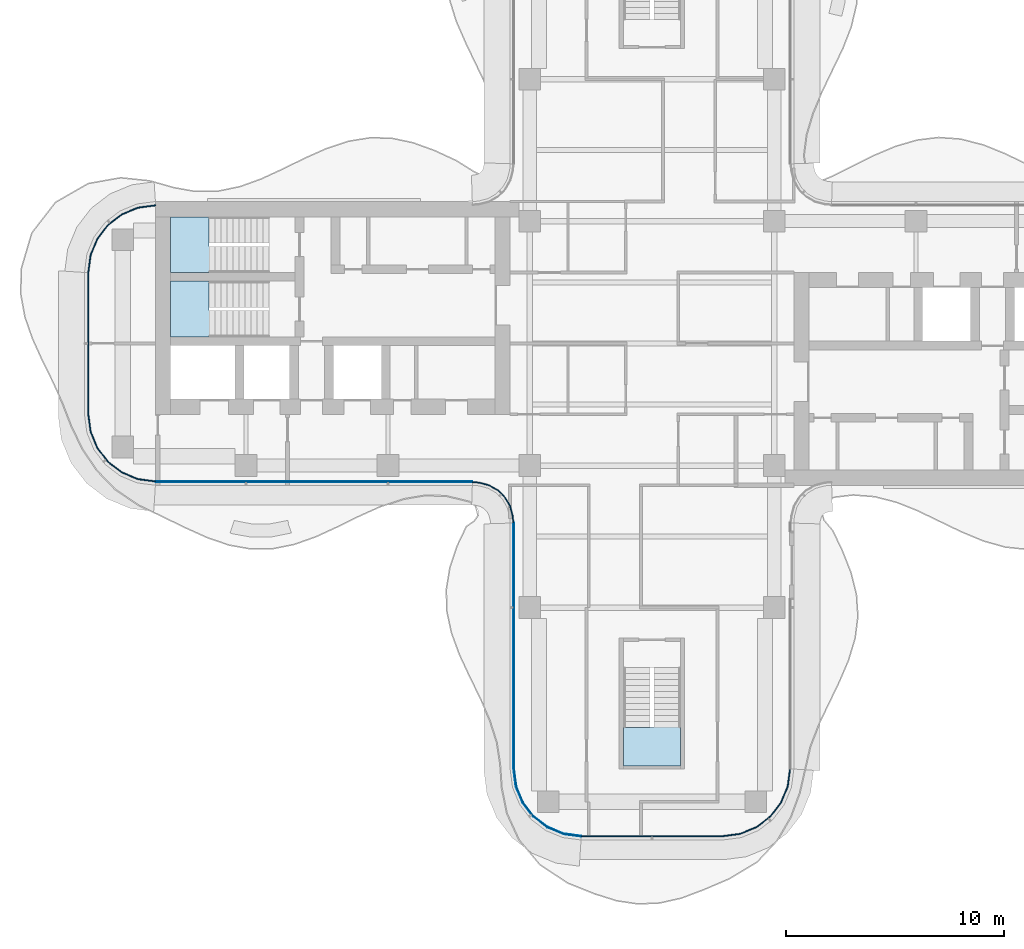
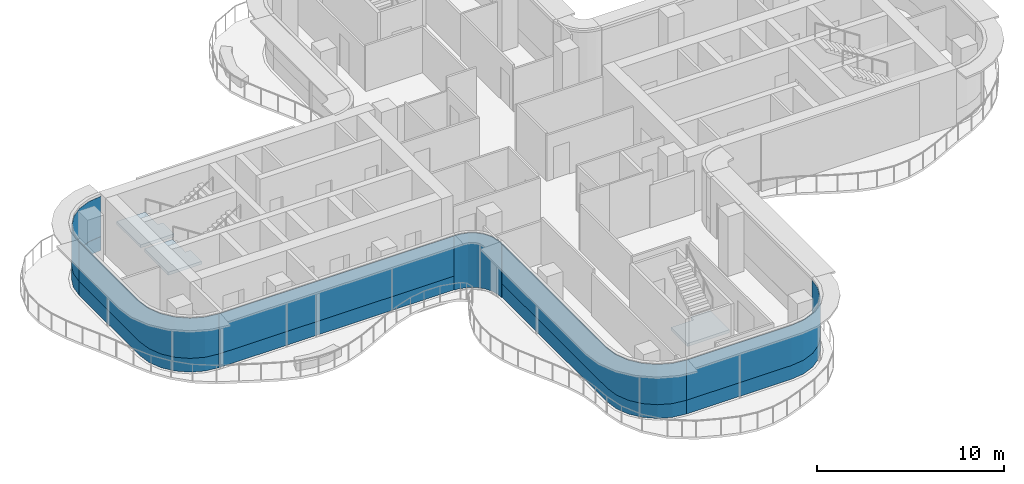
# One storey, part 8 of 16: 11 plates, 3 slabs, 9 elements without a shape of their own.
"""IFC4 building model written with IfcOpenShell, lengths in metres."""

from ifc_helpers import new_model, si_unit, direction, frame, origin, place, context, subcontext, project, spatial, polyline, outline, extrude, source, transform, mapped, material, layer, layer_set, type_object, element, aggregate, save


model = new_model("IFC4")

# Units and contexts
model_context = context("Model", 3, precision=1e-05, world=origin(), true_north=direction((0.0, 1.0)))
body_context = subcontext(model_context, "Body", "Model", "MODEL_VIEW")
ifc_project = project(units=[si_unit("LENGTHUNIT", "METRE"), si_unit("AREAUNIT", "SQUARE_METRE"), si_unit("VOLUMEUNIT", "CUBIC_METRE"), si_unit("PLANEANGLEUNIT", "RADIAN"), si_unit("MASSUNIT", "GRAM", prefix="KILO")], contexts=[model_context])

# Site, building, storey
site_placement = place(None, origin())
site = spatial("IfcSite", under=ifc_project, at=site_placement, CompositionType="ELEMENT")
building_placement = place(site_placement, origin())
building = spatial("IfcBuilding", under=site, at=building_placement, Name="Trellis Farm Tower", CompositionType="ELEMENT")
storey_placement = place(building_placement, frame((0.0, 0.0, 314.5)))
storey = spatial("IfcBuildingStorey", under=building, at=storey_placement, Name="L71", CompositionType="ELEMENT", Elevation=314.5)

# Stair, slab
ifc_material_1 = material(Name="Concrete C50/60", Category="concrete")
stair_type = type_object("IfcStairType", Name="CORE EXIT STAIR 22 RISERS 177 MM", PredefinedType="HALF_TURN_STAIR", material=ifc_material_1)
placement_1 = place(storey_placement, origin())
stair_1 = element("IfcStair", 1, at=placement_1, inside=storey, type_object=stair_type, Name="Exit stair S", PredefinedType="HALF_TURN_STAIR")
ifc_layer_1 = layer(ifc_material_1, 0.18994140625)
ifc_layer_set_1 = layer_set([ifc_layer_1], Name="CORE STAIR LANDING 190 CONCRETE C50/60")
slab_type = type_object("IfcSlabType", Name="CORE STAIR LANDING 190 CONCRETE C50/60", PredefinedType="LANDING", material=ifc_layer_set_1)
shared_shape_1 = source(origin(), body_context, "Body", "SweptSolid", [
    extrude(outline(polyline([(1.300048828125, -19.35009765625), (-1.300048828125, -19.35009765625), (-1.300048828125, -17.60009765625), (-1.300048828125, -17.590087890625), (-0.10009765625, -17.590087890625), (-0.10009765625, -17.60009765625), (0.10009765625, -17.60009765625), (0.10009765625, -17.27197265625), (1.300048828125, -17.27197265625), (1.300048828125, -17.60009765625), (1.300048828125, -19.35009765625)])), origin(), (0.0, 0.0, 1.0), 0.18994140625),
])
placement_2 = place(storey_placement, frame((0.0, 0.0, 1.760009765625)))
slab_1 = element("IfcSlab", 2, at=placement_2, type_object=slab_type, Name="STS landing 1", PredefinedType="LANDING", context=body_context, shape_type="MappedRepresentation", body=[
    mapped(shared_shape_1, transform((0.0, 0.0, 0.0))),
])
aggregate(stair_1, [slab_1])

stair_2 = element("IfcStair", 3, at=placement_1, inside=storey, type_object=stair_type, Name="Exit stair W1", PredefinedType="HALF_TURN_STAIR")
shared_shape_2 = source(origin(), body_context, "Body", "SweptSolid", [
    extrude(outline(polyline([(-19.971923828125, 4.449951171875), (-19.971923828125, 3.25), (-20.300048828125, 3.25), (-22.050048828125, 3.25), (-22.050048828125, 5.800048828125), (-20.300048828125, 5.800048828125), (-20.2900390625, 5.800048828125), (-20.2900390625, 4.60009765625), (-20.300048828125, 4.60009765625), (-20.300048828125, 4.449951171875), (-19.971923828125, 4.449951171875)])), origin(), (0.0, 0.0, 1.0), 0.18994140625),
])
slab_2 = element("IfcSlab", 4, at=placement_2, type_object=slab_type, Name="STW1 landing 1", PredefinedType="LANDING", context=body_context, shape_type="MappedRepresentation", body=[
    mapped(shared_shape_2, transform((0.0, 0.0, 0.0))),
])
aggregate(stair_2, [slab_2])

stair_3 = element("IfcStair", 5, at=placement_1, inside=storey, type_object=stair_type, Name="Exit stair W2", PredefinedType="HALF_TURN_STAIR")
shared_shape_3 = source(origin(), body_context, "Body", "SweptSolid", [
    extrude(outline(polyline([(-19.971923828125, 1.5), (-19.971923828125, 0.300048828125), (-20.300048828125, 0.300048828125), (-22.050048828125, 0.300048828125), (-22.050048828125, 2.85009765625), (-20.300048828125, 2.85009765625), (-20.2900390625, 2.85009765625), (-20.2900390625, 1.64990234375), (-20.300048828125, 1.64990234375), (-20.300048828125, 1.5), (-19.971923828125, 1.5)])), origin(), (0.0, 0.0, 1.0), 0.18994140625),
])
slab_3 = element("IfcSlab", 6, at=placement_2, type_object=slab_type, Name="STW2 landing 1", PredefinedType="LANDING", context=body_context, shape_type="MappedRepresentation", body=[
    mapped(shared_shape_3, transform((0.0, 0.0, 0.0))),
])
aggregate(stair_3, [slab_3])

# Curtain wall, plate
ifc_material_2 = material(Name="Aluminium and glass curtain wall", Category="aluminium")
ifc_layer_2 = layer(ifc_material_2, 0.166015625)
ifc_layer_set_2 = layer_set([ifc_layer_2], Name="WINTER GARDEN CURTAIN WALL CW3")
curtain_wall_type_1 = type_object("IfcCurtainWallType", Name="WINTER GARDEN CURTAIN WALL CW3", PredefinedType="NOTDEFINED", material=ifc_layer_set_2)
curtain_wall_1 = element("IfcCurtainWall", 7, at=placement_1, inside=storey, type_object=curtain_wall_type_1, Name="CW3 001", PredefinedType="NOTDEFINED")
ifc_material_3 = material(Name="Clear insulated glass", Category="glass")
ifc_layer_3 = layer(ifc_material_3, 0.0458984375)
ifc_layer_set_3 = layer_set([ifc_layer_3], Name="CW3 GLASS PANEL 46")
plate_type_1 = type_object("IfcPlateType", Name="CW3 GLASS PANEL 46", PredefinedType="CURTAIN_PANEL", material=ifc_layer_set_3)
shared_shape_4 = source(origin(), body_context, "Body", "SweptSolid", [
    extrude(outline(polyline([(-8.2275390625, -6.3798828125), (-8.0078125, -6.394287109375), (-7.89208984375, -6.40966796875), (-7.462158203125, -6.52490234375), (-7.070556640625, -6.7509765625), (-6.7509765625, -7.070556640625), (-6.52490234375, -7.462158203125), (-6.40966796875, -7.89208984375), (-6.394287109375, -8.0078125), (-6.3798828125, -8.2275390625), (-6.333984375, -8.22607421875), (-6.3486328125, -8.003173828125), (-6.364501953125, -7.883056640625), (-6.48193359375, -7.4443359375), (-6.714111328125, -7.04248046875), (-7.04248046875, -6.714111328125), (-7.4443359375, -6.48193359375), (-7.883056640625, -6.364501953125), (-8.003173828125, -6.3486328125), (-8.22607421875, -6.333984375), (-8.2275390625, -6.3798828125)])), origin(), (0.0, 0.0, 1.0), 3.550048828125),
])
plate_1 = element("IfcPlate", 8, at=placement_1, type_object=plate_type_1, Name="PL3 001", PredefinedType="CURTAIN_PANEL", context=body_context, shape_type="MappedRepresentation", body=[
    mapped(shared_shape_4, transform((0.0, 0.0, 0.0))),
])
aggregate(curtain_wall_1, [plate_1])

# Curtain wall, plates
ifc_layer_4 = layer(ifc_material_2, 0.18994140625)
ifc_layer_set_4 = layer_set([ifc_layer_4], Name="RIBBON CURTAIN WALL CW1")
curtain_wall_type_2 = type_object("IfcCurtainWallType", Name="RIBBON CURTAIN WALL CW1", PredefinedType="NOTDEFINED", material=ifc_layer_set_4)
curtain_wall_2 = element("IfcCurtainWall", 9, at=placement_1, inside=storey, type_object=curtain_wall_type_2, Name="CW1 002", PredefinedType="NOTDEFINED")
ifc_layer_5 = layer(ifc_material_3, 0.0400390625)
ifc_layer_set_5 = layer_set([ifc_layer_5], Name="CW1 GLASS PANEL 40")
plate_type_2 = type_object("IfcPlateType", Name="CW1 GLASS PANEL 40", PredefinedType="CURTAIN_PANEL", material=ifc_layer_set_5)
shared_shape_5 = source(origin(), body_context, "Body", "SweptSolid", [
    extrude(outline(polyline([(-6.35009765625, -8.2265625), (-6.35009765625, -19.490234375), (-6.2431640625, -20.302001953125), (-5.93359375, -21.04931640625), (-5.441162109375, -21.691162109375), (-4.79931640625, -22.18359375), (-4.052001953125, -22.4931640625), (-3.240234375, -22.60009765625), (-3.237548828125, -22.56005859375), (-4.04150390625, -22.4541015625), (-4.779296875, -22.148681640625), (-5.41259765625, -21.66259765625), (-5.898681640625, -21.029296875), (-6.2041015625, -20.29150390625), (-6.31005859375, -19.487548828125), (-6.31005859375, -8.22509765625), (-6.35009765625, -8.2265625)])), origin(), (0.0, 0.0, 1.0), 2.6201171875),
])
placement_3 = place(storey_placement, frame((0.0, 0.0, 0.89990234375)))
plate_2 = element("IfcPlate", 10, at=placement_3, type_object=plate_type_2, Name="PL1 002", PredefinedType="CURTAIN_PANEL", context=body_context, shape_type="MappedRepresentation", body=[
    mapped(shared_shape_5, transform((0.0, 0.0, 0.0))),
])
ifc_material_4 = material(Name="Sandstone faced insulated panel", Category="masonry")
ifc_layer_6 = layer(ifc_material_4, 0.050048828125)
ifc_layer_set_6 = layer_set([ifc_layer_6], Name="CW1 STONE SPANDREL PANEL 50")
plate_type_3 = type_object("IfcPlateType", Name="CW1 STONE SPANDREL PANEL 50", PredefinedType="CURTAIN_PANEL", material=ifc_layer_set_6)
shared_shape_6 = source(origin(), body_context, "Body", "SweptSolid", [
    extrude(outline(polyline([(-6.35009765625, -8.2265625), (-6.35009765625, -19.490234375), (-6.2431640625, -20.302001953125), (-5.93359375, -21.04931640625), (-5.441162109375, -21.691162109375), (-4.79931640625, -22.18359375), (-4.052001953125, -22.4931640625), (-3.240234375, -22.60009765625), (-3.23681640625, -22.550048828125), (-4.0390625, -22.4443359375), (-4.774169921875, -22.139892578125), (-5.405517578125, -21.655517578125), (-5.889892578125, -21.024169921875), (-6.1943359375, -20.2890625), (-6.300048828125, -19.48681640625), (-6.300048828125, -8.224853515625), (-6.35009765625, -8.2265625)])), origin(), (0.0, 0.0, 1.0), 0.89990234375),
])
plate_3 = element("IfcPlate", 11, at=placement_1, type_object=plate_type_3, Name="PS1 002", PredefinedType="CURTAIN_PANEL", context=body_context, shape_type="MappedRepresentation", body=[
    mapped(shared_shape_6, transform((0.0, 0.0, 0.0))),
])
aggregate(curtain_wall_2, [plate_2, plate_3])

curtain_wall_3 = element("IfcCurtainWall", 12, at=placement_1, inside=storey, type_object=curtain_wall_type_2, Name="CW1 003", PredefinedType="NOTDEFINED")
shared_shape_7 = source(origin(), body_context, "Body", "SweptSolid", [
    extrude(outline(polyline([(-3.240234375, -22.60009765625), (3.240234375, -22.60009765625), (4.052001953125, -22.4931640625), (4.79931640625, -22.18359375), (5.441162109375, -21.691162109375), (5.93359375, -21.04931640625), (6.2431640625, -20.302001953125), (6.35009765625, -19.490234375), (6.31005859375, -19.487548828125), (6.2041015625, -20.29150390625), (5.898681640625, -21.029296875), (5.41259765625, -21.66259765625), (4.779296875, -22.148681640625), (4.04150390625, -22.4541015625), (3.237548828125, -22.56005859375), (-3.237548828125, -22.56005859375), (-3.240234375, -22.60009765625)])), origin(), (0.0, 0.0, 1.0), 2.6201171875),
])
plate_4 = element("IfcPlate", 13, at=placement_3, type_object=plate_type_2, Name="PL1 003", PredefinedType="CURTAIN_PANEL", context=body_context, shape_type="MappedRepresentation", body=[
    mapped(shared_shape_7, transform((0.0, 0.0, 0.0))),
])
shared_shape_8 = source(origin(), body_context, "Body", "SweptSolid", [
    extrude(outline(polyline([(-3.240234375, -22.60009765625), (3.240234375, -22.60009765625), (4.052001953125, -22.4931640625), (4.79931640625, -22.18359375), (5.441162109375, -21.691162109375), (5.93359375, -21.04931640625), (6.2431640625, -20.302001953125), (6.35009765625, -19.490234375), (6.300048828125, -19.48681640625), (6.1943359375, -20.2890625), (5.889892578125, -21.024169921875), (5.405517578125, -21.655517578125), (4.774169921875, -22.139892578125), (4.0390625, -22.4443359375), (3.23681640625, -22.550048828125), (-3.23681640625, -22.550048828125), (-3.240234375, -22.60009765625)])), origin(), (0.0, 0.0, 1.0), 0.89990234375),
])
plate_5 = element("IfcPlate", 14, at=placement_1, type_object=plate_type_3, Name="PS1 003", PredefinedType="CURTAIN_PANEL", context=body_context, shape_type="MappedRepresentation", body=[
    mapped(shared_shape_8, transform((0.0, 0.0, 0.0))),
])
aggregate(curtain_wall_3, [plate_4, plate_5])

curtain_wall_4 = element("IfcCurtainWall", 15, at=placement_1, inside=storey, type_object=curtain_wall_type_2, Name="CW1 001", PredefinedType="NOTDEFINED")
shared_shape_9 = source(origin(), body_context, "Body", "SweptSolid", [
    extrude(outline(polyline([(-22.740234375, -6.35009765625), (-8.2265625, -6.35009765625), (-8.22509765625, -6.31005859375), (-22.737548828125, -6.31005859375), (-22.740234375, -6.35009765625)])), origin(), (0.0, 0.0, 1.0), 2.6201171875),
])
plate_6 = element("IfcPlate", 16, at=placement_3, type_object=plate_type_2, Name="PL1 001", PredefinedType="CURTAIN_PANEL", context=body_context, shape_type="MappedRepresentation", body=[
    mapped(shared_shape_9, transform((0.0, 0.0, 0.0))),
])
shared_shape_10 = source(origin(), body_context, "Body", "SweptSolid", [
    extrude(outline(polyline([(-22.740234375, -6.35009765625), (-8.2265625, -6.35009765625), (-8.224853515625, -6.300048828125), (-22.73681640625, -6.300048828125), (-22.740234375, -6.35009765625)])), origin(), (0.0, 0.0, 1.0), 0.89990234375),
])
plate_7 = element("IfcPlate", 17, at=placement_1, type_object=plate_type_3, Name="PS1 001", PredefinedType="CURTAIN_PANEL", context=body_context, shape_type="MappedRepresentation", body=[
    mapped(shared_shape_10, transform((0.0, 0.0, 0.0))),
])
aggregate(curtain_wall_4, [plate_6, plate_7])

curtain_wall_5 = element("IfcCurtainWall", 18, at=placement_1, inside=storey, type_object=curtain_wall_type_2, Name="CW1 013", PredefinedType="NOTDEFINED")
shared_shape_11 = source(origin(), body_context, "Body", "SweptSolid", [
    extrude(outline(polyline([(-22.740234375, 6.35009765625), (-23.552001953125, 6.2431640625), (-24.29931640625, 5.93359375), (-24.941162109375, 5.441162109375), (-25.43359375, 4.79931640625), (-25.7431640625, 4.052001953125), (-25.85009765625, 3.240234375), (-25.81005859375, 3.237548828125), (-25.7041015625, 4.04150390625), (-25.398681640625, 4.779296875), (-24.91259765625, 5.41259765625), (-24.279296875, 5.898681640625), (-23.54150390625, 6.2041015625), (-22.737548828125, 6.31005859375), (-22.740234375, 6.35009765625)])), origin(), (0.0, 0.0, 1.0), 2.6201171875),
])
plate_8 = element("IfcPlate", 19, at=placement_3, type_object=plate_type_2, Name="PL1 013", PredefinedType="CURTAIN_PANEL", context=body_context, shape_type="MappedRepresentation", body=[
    mapped(shared_shape_11, transform((0.0, 0.0, 0.0))),
])
shared_shape_12 = source(origin(), body_context, "Body", "SweptSolid", [
    extrude(outline(polyline([(-22.740234375, 6.35009765625), (-23.552001953125, 6.2431640625), (-24.29931640625, 5.93359375), (-24.941162109375, 5.441162109375), (-25.43359375, 4.79931640625), (-25.7431640625, 4.052001953125), (-25.85009765625, 3.240234375), (-25.800048828125, 3.23681640625), (-25.6943359375, 4.0390625), (-25.389892578125, 4.774169921875), (-24.905517578125, 5.405517578125), (-24.274169921875, 5.889892578125), (-23.5390625, 6.1943359375), (-22.73681640625, 6.300048828125), (-22.740234375, 6.35009765625)])), origin(), (0.0, 0.0, 1.0), 0.89990234375),
])
plate_9 = element("IfcPlate", 20, at=placement_1, type_object=plate_type_3, Name="PS1 013", PredefinedType="CURTAIN_PANEL", context=body_context, shape_type="MappedRepresentation", body=[
    mapped(shared_shape_12, transform((0.0, 0.0, 0.0))),
])
aggregate(curtain_wall_5, [plate_8, plate_9])

curtain_wall_6 = element("IfcCurtainWall", 21, at=placement_1, inside=storey, type_object=curtain_wall_type_2, Name="CW1 014", PredefinedType="NOTDEFINED")
shared_shape_13 = source(origin(), body_context, "Body", "SweptSolid", [
    extrude(outline(polyline([(-25.85009765625, 3.240234375), (-25.85009765625, -3.240234375), (-25.7431640625, -4.052001953125), (-25.43359375, -4.79931640625), (-24.941162109375, -5.441162109375), (-24.29931640625, -5.93359375), (-23.552001953125, -6.2431640625), (-22.740234375, -6.35009765625), (-22.737548828125, -6.31005859375), (-23.54150390625, -6.2041015625), (-24.279296875, -5.898681640625), (-24.91259765625, -5.41259765625), (-25.398681640625, -4.779296875), (-25.7041015625, -4.04150390625), (-25.81005859375, -3.237548828125), (-25.81005859375, 3.237548828125), (-25.85009765625, 3.240234375)])), origin(), (0.0, 0.0, 1.0), 2.6201171875),
])
plate_10 = element("IfcPlate", 22, at=placement_3, type_object=plate_type_2, Name="PL1 014", PredefinedType="CURTAIN_PANEL", context=body_context, shape_type="MappedRepresentation", body=[
    mapped(shared_shape_13, transform((0.0, 0.0, 0.0))),
])
shared_shape_14 = source(origin(), body_context, "Body", "SweptSolid", [
    extrude(outline(polyline([(-25.85009765625, 3.240234375), (-25.85009765625, -3.240234375), (-25.7431640625, -4.052001953125), (-25.43359375, -4.79931640625), (-24.941162109375, -5.441162109375), (-24.29931640625, -5.93359375), (-23.552001953125, -6.2431640625), (-22.740234375, -6.35009765625), (-22.73681640625, -6.300048828125), (-23.5390625, -6.1943359375), (-24.274169921875, -5.889892578125), (-24.905517578125, -5.405517578125), (-25.389892578125, -4.774169921875), (-25.6943359375, -4.0390625), (-25.800048828125, -3.23681640625), (-25.800048828125, 3.23681640625), (-25.85009765625, 3.240234375)])), origin(), (0.0, 0.0, 1.0), 0.89990234375),
])
plate_11 = element("IfcPlate", 23, at=placement_1, type_object=plate_type_3, Name="PS1 014", PredefinedType="CURTAIN_PANEL", context=body_context, shape_type="MappedRepresentation", body=[
    mapped(shared_shape_14, transform((0.0, 0.0, 0.0))),
])
aggregate(curtain_wall_6, [plate_10, plate_11])

save(model, "model.ifc")
